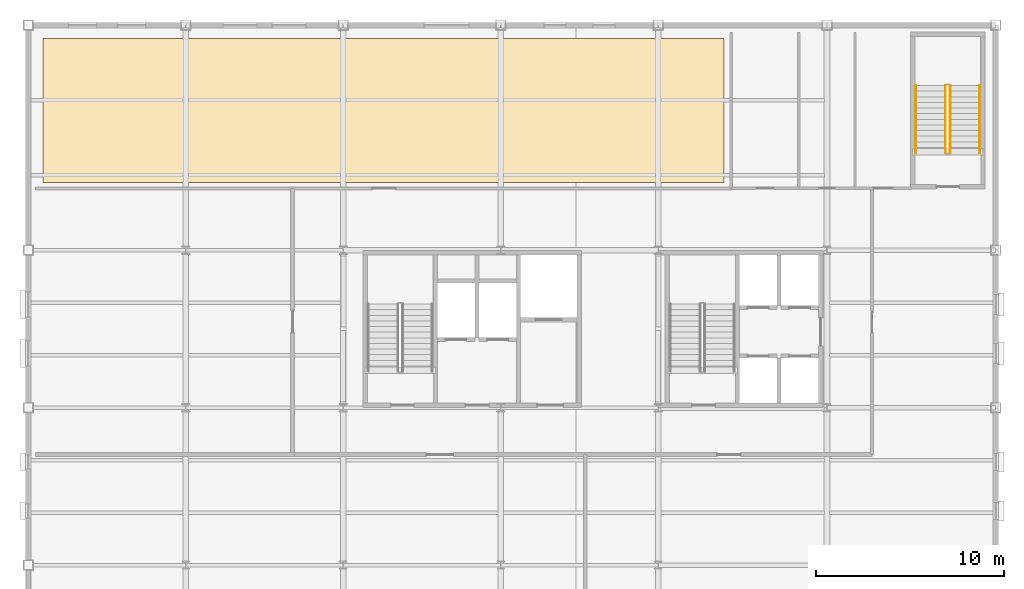
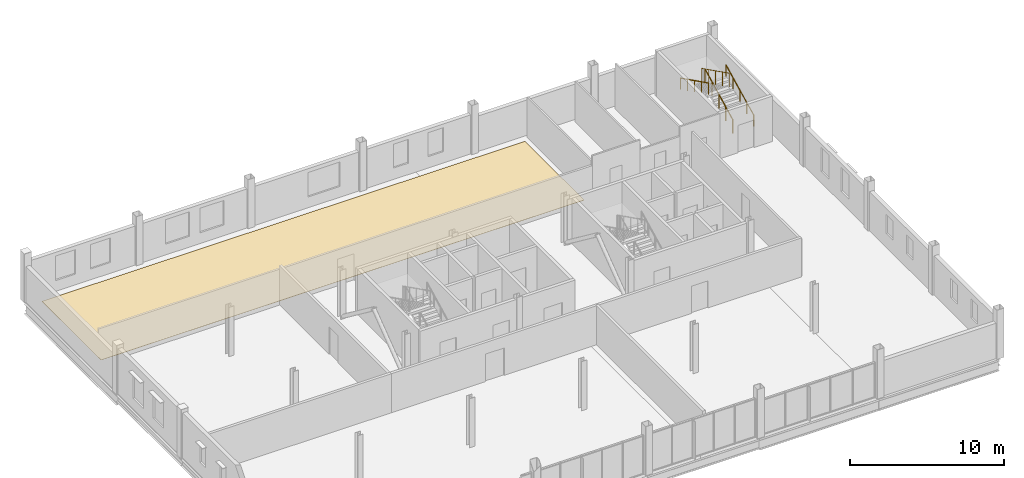
# One storey, part 16 of 17: 4 railings, 1 covering.
"""IFC4 building model written with IfcOpenShell, lengths in metres."""

from ifc_helpers import new_model, si_unit, direction, frame, origin, origin_2d, place, context, subcontext, project, spatial, polyline, circle, outline, extrude, material, layer, layer_set, type_object, element, save


model = new_model("IFC4")

# Units and contexts
model_context = context("Model", 3, precision=1e-05, world=origin(), true_north=direction((0.0, 1.0)))
body_context = subcontext(model_context, "Body", "Model", "MODEL_VIEW")
ifc_project = project(units=[si_unit("LENGTHUNIT", "METRE"), si_unit("AREAUNIT", "SQUARE_METRE"), si_unit("VOLUMEUNIT", "CUBIC_METRE"), si_unit("PLANEANGLEUNIT", "RADIAN"), si_unit("MASSUNIT", "GRAM", prefix="KILO")], contexts=[model_context])

# Site, building, storey
site_placement = place(None, origin())
site = spatial("IfcSite", under=ifc_project, at=site_placement, CompositionType="ELEMENT")
building_placement = place(site_placement, origin())
building = spatial("IfcBuilding", under=site, at=building_placement, Name="Yukiwa Park Conservatory and Herbarium", CompositionType="ELEMENT")
storey_placement = place(building_placement, frame((0.0, 0.0, 17.10009765625)))
storey = spatial("IfcBuildingStorey", under=building, at=storey_placement, Name="L04", CompositionType="ELEMENT", Elevation=17.10009765625)

# Covering
ifc_material_1 = material(Name="Anti-Static Laboratory Epoxy Flooring")
ifc_layer_1 = layer(ifc_material_1, 0.02001953125)
ifc_layer_set_1 = layer_set([ifc_layer_1], Name="Anti-Static Laboratory Epoxy Flooring")
covering_type = type_object("IfcCoveringType", Name="COV-FLR-EPOXY", PredefinedType="FLOORING", material=ifc_layer_set_1)
covering_placement = place(storey_placement, origin())
element("IfcCovering", 1, at=covering_placement, inside=storey, type_object=covering_type, Name="L04 finished floor covering FLR-L04-LAB", PredefinedType="FLOORING", context=body_context, shape_type="SweptSolid", body=[
    extrude(outline(polyline([(117.199951171875, 106.800048828125), (153.5, 106.800048828125), (153.5, 114.5), (117.199951171875, 114.5), (117.199951171875, 106.800048828125)])), origin(), (0.0, 0.0, 1.0), 0.02001953125),
])

# Railings
ifc_material_2 = material(Name="Steel Q235B", Category="steel")
ifc_layer_2 = layer(ifc_material_2, 0.050048828125)
ifc_layer_set_2 = layer_set([ifc_layer_2], Name="Steel Q235B")
railing_type_1 = type_object("IfcRailingType", Name="RL-STAIR-GUARD-1120", PredefinedType="BALUSTRADE", material=ifc_layer_set_2)
railing_1_placement = place(storey_placement, frame((165.570068359375, 108.3798828125, 0.14990234375)))
element("IfcRailing", 2, at=railing_1_placement, inside=storey, type_object=railing_type_1, Name="L04 ST-T3 stair guard 1", PredefinedType="BALUSTRADE", context=body_context, shape_type="SweptSolid", body=[
    extrude(circle(Radius=0.02392578125, at=origin_2d()), frame((0.0, 0.0, 1.09619140625), z_axis=(0.0, 0.894427191, 0.4472135955), x_axis=(-1.0, 0.0, 0.0)), (0.0, 0.0, 1.0), 4.025146484375),
    extrude(circle(Radius=0.02099609375, at=origin_2d()), origin(), (0.0, 0.0, 1.0), 1.072021484375),
    extrude(circle(Radius=0.02099609375, at=origin_2d()), frame((0.0, 0.89990234375, 0.449951171875)), (0.0, 0.0, 1.0), 1.072021484375),
    extrude(circle(Radius=0.02099609375, at=origin_2d()), frame((0.0, 1.800048828125, 0.89990234375)), (0.0, 0.0, 1.0), 1.072021484375),
    extrude(circle(Radius=0.02099609375, at=origin_2d()), frame((0.0, 2.7001953125, 1.35009765625)), (0.0, 0.0, 1.0), 1.072021484375),
    extrude(circle(Radius=0.02099609375, at=origin_2d()), frame((0.0, 3.60009765625, 1.800048828125)), (0.0, 0.0, 1.0), 1.072021484375),
])
railing_2_placement = place(storey_placement, frame((165.320068359375, 111.97998046875, 2.099853515625)))
element("IfcRailing", 3, at=railing_2_placement, inside=storey, type_object=railing_type_1, Name="L04 ST-T3 stair guard 3", PredefinedType="BALUSTRADE", context=body_context, shape_type="SweptSolid", body=[
    extrude(circle(Radius=0.02392578125, at=origin_2d()), frame((0.0, 0.0, 1.09619140625), z_axis=(0.0, -0.894427191, 0.4472135955), x_axis=(1.0, 0.0, 0.0)), (0.0, 0.0, 1.0), 4.025146484375),
    extrude(circle(Radius=0.02099609375, at=origin_2d()), origin(), (0.0, 0.0, 1.0), 1.072021484375),
    extrude(circle(Radius=0.02099609375, at=origin_2d()), frame((0.0, -0.89990234375, 0.449951171875)), (0.0, 0.0, 1.0), 1.072021484375),
    extrude(circle(Radius=0.02099609375, at=origin_2d()), frame((0.0, -1.800048828125, 0.89990234375)), (0.0, 0.0, 1.0), 1.072021484375),
    extrude(circle(Radius=0.02099609375, at=origin_2d()), frame((0.0, -2.7001953125, 1.35009765625)), (0.0, 0.0, 1.0), 1.072021484375),
    extrude(circle(Radius=0.02099609375, at=origin_2d()), frame((0.0, -3.60009765625, 1.800048828125)), (0.0, 0.0, 1.0), 1.072021484375),
])
ifc_material_3 = material(Name="Steel Q235B", Category="steel")
ifc_layer_3 = layer(ifc_material_3, 0.044921875)
ifc_layer_set_3 = layer_set([ifc_layer_3], Name="Steel Q235B")
railing_type_2 = type_object("IfcRailingType", Name="RL-STAIR-RAIL-900", PredefinedType="HANDRAIL", material=ifc_layer_set_3)
railing_3_placement = place(storey_placement, frame((167.14990234375, 108.3798828125, 0.14990234375)))
element("IfcRailing", 4, at=railing_3_placement, inside=storey, type_object=railing_type_2, Name="L04 ST-T3 stair handrail 1", PredefinedType="HANDRAIL", context=body_context, shape_type="SweptSolid", body=[
    extrude(circle(Radius=0.02392578125, at=origin_2d()), frame((0.0, 0.0, 0.8759765625), z_axis=(0.0, 0.894427191, 0.4472135955), x_axis=(-1.0, 0.0, 0.0)), (0.0, 0.0, 1.0), 4.025146484375),
    extrude(circle(Radius=0.02099609375, at=origin_2d()), origin(), (0.0, 0.0, 1.0), 0.851806640625),
    extrude(circle(Radius=0.02099609375, at=origin_2d()), frame((0.0, 0.89990234375, 0.449951171875)), (0.0, 0.0, 1.0), 0.851806640625),
    extrude(circle(Radius=0.02099609375, at=origin_2d()), frame((0.0, 1.800048828125, 0.89990234375)), (0.0, 0.0, 1.0), 0.851806640625),
    extrude(circle(Radius=0.02099609375, at=origin_2d()), frame((0.0, 2.7001953125, 1.35009765625)), (0.0, 0.0, 1.0), 0.851806640625),
    extrude(circle(Radius=0.02099609375, at=origin_2d()), frame((0.0, 3.60009765625, 1.800048828125)), (0.0, 0.0, 1.0), 0.851806640625),
])
railing_4_placement = place(storey_placement, frame((163.739990234375, 111.97998046875, 2.099853515625)))
element("IfcRailing", 5, at=railing_4_placement, inside=storey, type_object=railing_type_2, Name="L04 ST-T3 stair handrail 2", PredefinedType="HANDRAIL", context=body_context, shape_type="SweptSolid", body=[
    extrude(circle(Radius=0.02392578125, at=origin_2d()), frame((0.0, 0.0, 0.8759765625), z_axis=(0.0, -0.894427191, 0.4472135955), x_axis=(1.0, 0.0, 0.0)), (0.0, 0.0, 1.0), 4.025146484375),
    extrude(circle(Radius=0.02099609375, at=origin_2d()), origin(), (0.0, 0.0, 1.0), 0.851806640625),
    extrude(circle(Radius=0.02099609375, at=origin_2d()), frame((0.0, -0.89990234375, 0.449951171875)), (0.0, 0.0, 1.0), 0.851806640625),
    extrude(circle(Radius=0.02099609375, at=origin_2d()), frame((0.0, -1.800048828125, 0.89990234375)), (0.0, 0.0, 1.0), 0.851806640625),
    extrude(circle(Radius=0.02099609375, at=origin_2d()), frame((0.0, -2.7001953125, 1.35009765625)), (0.0, 0.0, 1.0), 0.851806640625),
    extrude(circle(Radius=0.02099609375, at=origin_2d()), frame((0.0, -3.60009765625, 1.800048828125)), (0.0, 0.0, 1.0), 0.851806640625),
])

save(model, "model.ifc")
